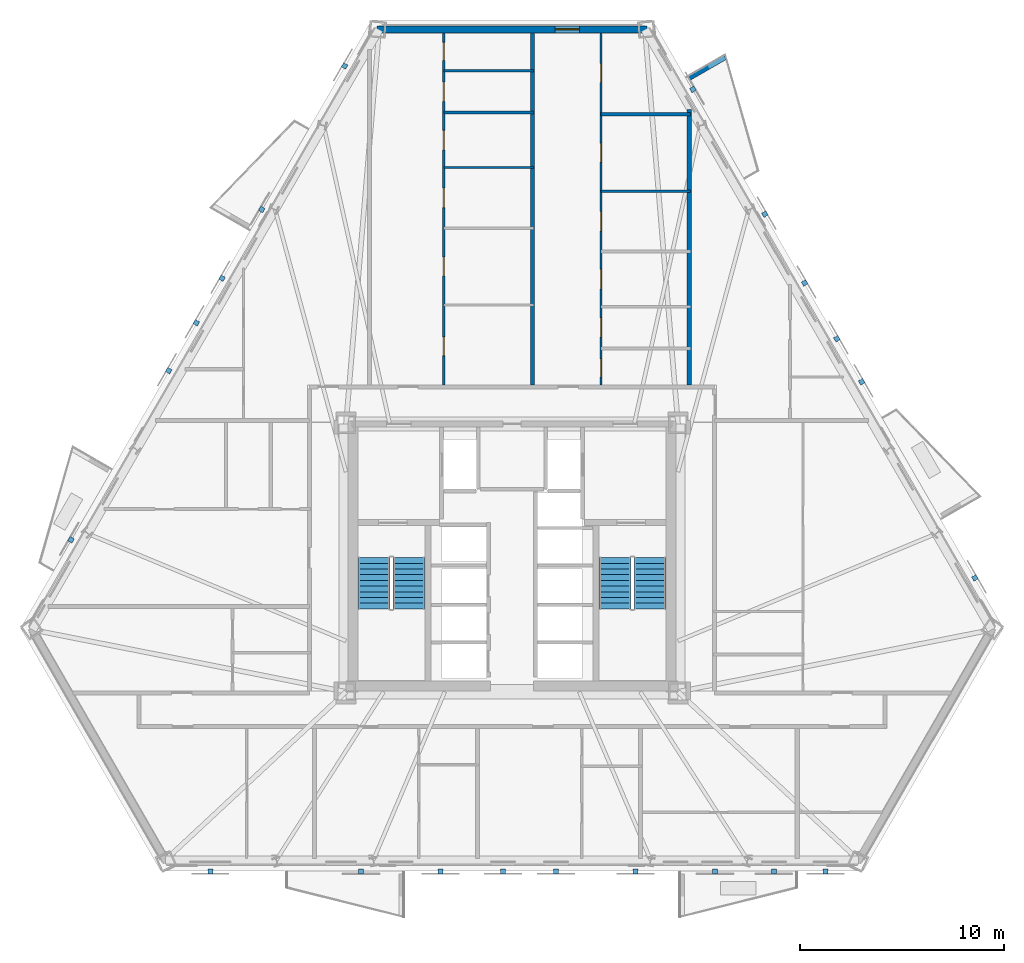
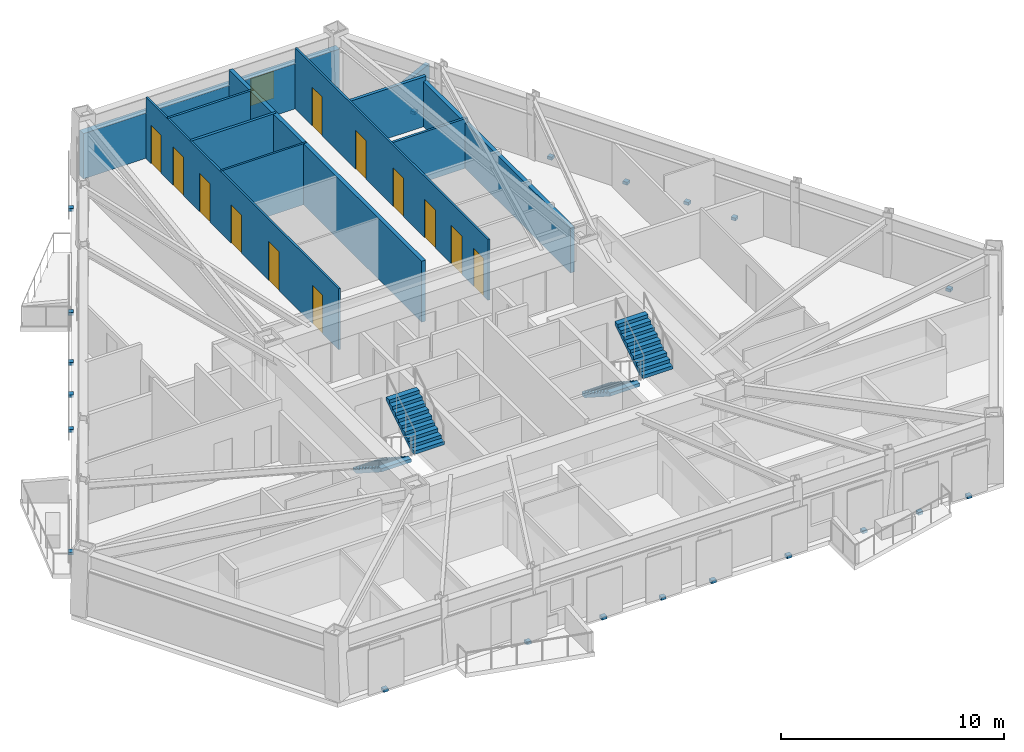
# One storey, part 6 of 10: 21 discrete accessories, 12 doors, 11 walls, 4 stair flights, 1 window, 13 openings, 2 elements without a shape of their own.
"""IFC4 building model written with IfcOpenShell, lengths in metres."""

from ifc_helpers import new_model, si_unit, direction, frame, frame_2d, origin, origin_2d, place, context, subcontext, project, spatial, polyline, rectangle, outline, extrude, material, layer, layer_set, type_object, element, fill, aggregate, save


model = new_model("IFC4")

# Units and contexts
model_context = context("Model", 3, precision=1e-05, world=origin(), true_north=direction((0.0, 1.0)))
body_context = subcontext(model_context, "Body", "Model", "MODEL_VIEW")
ifc_project = project(units=[si_unit("LENGTHUNIT", "METRE"), si_unit("AREAUNIT", "SQUARE_METRE"), si_unit("VOLUMEUNIT", "CUBIC_METRE"), si_unit("PLANEANGLEUNIT", "RADIAN"), si_unit("MASSUNIT", "GRAM", prefix="KILO")], contexts=[model_context])

# Site, building, storey
site_placement = place(None, origin())
site = spatial("IfcSite", under=ifc_project, at=site_placement, CompositionType="ELEMENT")
building_placement = place(site_placement, origin())
building = spatial("IfcBuilding", under=site, at=building_placement, Name="Oramaril Tower", CompositionType="ELEMENT")
storey_placement = place(building_placement, frame((0.0, 0.0, 74.10009765625)))
storey = spatial("IfcBuildingStorey", under=building, at=storey_placement, Name="L19", CompositionType="ELEMENT", Elevation=74.10009765625)

# Wall, opening, window
ifc_material_1 = material(Name="Warm Cream Limestone", Category="masonry")
ifc_layer_1 = layer(ifc_material_1, 0.340087890625)
ifc_layer_set_1 = layer_set([ifc_layer_1], Name="WT-EXT34")
wall_type_1 = type_object("IfcWallType", Name="WT-EXT34", PredefinedType="SOLIDWALL", material=ifc_layer_set_1)
wall_1_placement = place(storey_placement, frame((44.123779296875, 43.518310546875, 0.0), z_axis=(0.0, 0.0, 1.0), x_axis=(-1.0, 0.0, 0.0)))
wall_1 = element("IfcWall", 1, at=wall_1_placement, inside=storey, type_object=wall_type_1, Name="L19 Tower Limestone Facade Wall 5M", PredefinedType="SOLIDWALL", context=body_context, shape_type="SweptSolid", body=[
    extrude(rectangle(XDim=13.24755859375, YDim=0.340087890625, at=frame_2d((6.623779296875, 0.0))), origin(), (0.0, 0.0, 1.0), 2.473876953125),
])
opening_1_placement = place(wall_1_placement, frame((3.31103515625, 0.0, 0.85009765625)))
opening_1 = element("IfcOpeningElement", 2, at=opening_1_placement, cuts=wall_1, Name="Opening WN-09", PredefinedType="OPENING", context=body_context, shape_type="SweptSolid", body=[
    extrude(rectangle(XDim=1.199951171875, YDim=1.47998046875, at=frame_2d((0.60009765625, 0.739990234375))), frame((0.0, 0.169921875, 0.0), z_axis=(0.0, -1.0, 0.0), x_axis=(1.0, 0.0, 0.0)), (0.0, 0.0, 1.0), 0.340087890625),
])
ifc_material_2 = material(Name="Coastal Low-E Insulated Glass", Category="glass")
window_type = type_object("IfcWindowType", Name="WNT-09", PartitioningType="SINGLE_PANEL", PredefinedType="WINDOW", material=ifc_material_2)
window_placement = place(opening_1_placement, origin())
window = element("IfcWindow", 3, at=window_placement, inside=storey, type_object=window_type, Name="L19 Apartment Bedroom Window WN-09", OverallHeight=1.47998046875, OverallWidth=1.199951171875, PartitioningType="SINGLE_PANEL", PredefinedType="WINDOW", context=body_context, shape_type="SweptSolid", body=[
    extrude(rectangle(XDim=1.199951171875, YDim=1.47998046875, at=frame_2d((0.60009765625, 0.739990234375))), frame((0.0, 0.030029296875, 0.0), z_axis=(0.0, -1.0, 0.0), x_axis=(1.0, 0.0, 0.0)), (0.0, 0.0, 1.0), 0.06005859375),
])
fill(opening_1, window)

# Walls
ifc_material_3 = material(Name="Concrete C40/50", Category="concrete")
ifc_layer_2 = layer(ifc_material_3, 0.22998046875)
ifc_layer_set_2 = layer_set([ifc_layer_2], Name="WT-PRP23")
wall_type_2 = type_object("IfcWallType", Name="WT-PRP23", PredefinedType="PARAPET", material=ifc_layer_set_2)
wall_2_placement = place(storey_placement, frame((46.198974609375, 41.1201171875, 0.0), z_axis=(0.0, 0.0, 1.0), x_axis=(0.866012356593, 0.500022597718, 0.0)))
element("IfcWall", 4, at=wall_2_placement, inside=storey, type_object=wall_type_2, Name="L19 Trapezoidal Balcony Frame Cheek L19-BAL-NE2-R", PredefinedType="PARAPET", context=body_context, shape_type="SweptSolid", body=[
    extrude(outline(polyline([(0.0, 0.0), (2.0419921875, 0.0), (2.0419921875, 1.099853515625), (0.0, 1.31982421875), (0.0, 0.0)])), frame((0.0, 0.114990234375, 0.0), z_axis=(0.0, -1.0, 0.0), x_axis=(1.0, 0.0, 0.0)), (0.0, 0.0, 1.0), 0.22998046875),
])
ifc_material_4 = material(Name="Acoustic Gypsum Board Partition")
ifc_layer_3 = layer(ifc_material_4, 0.10009765625)
ifc_layer_set_3 = layer_set([ifc_layer_3], Name="WT-PT10")
wall_type_3 = type_object("IfcWallType", Name="WT-PT10", PredefinedType="PARTITIONING", material=ifc_layer_set_3)
wall_3_placement = place(storey_placement, frame((34.14990234375, 36.72998046875, 0.0), z_axis=(0.0, 0.0, 1.0), x_axis=(1.0, 0.0, 0.0)))
element("IfcWall", 5, at=wall_3_placement, inside=storey, type_object=wall_type_3, Name="L19 Interior Partition PT-10", PredefinedType="PARTITIONING", context=body_context, shape_type="SweptSolid", body=[
    extrude(rectangle(XDim=4.400146484375, YDim=0.10009765625, at=frame_2d((2.2001953125, 0.0))), origin(), (0.0, 0.0, 1.0), 3.33984375),
])

# Wall, openings, doors
wall_4_placement = place(storey_placement, frame((34.14990234375, 26.073974609375, 0.0), z_axis=(0.0, 0.0, 1.0), x_axis=(0.0, 1.0, 0.0)))
wall_4 = element("IfcWall", 6, at=wall_4_placement, inside=storey, type_object=wall_type_3, Name="L19 Interior Partition PT-10", PredefinedType="PARTITIONING", context=body_context, shape_type="SweptSolid", body=[
    extrude(rectangle(XDim=17.2705078125, YDim=0.10009765625, at=frame_2d((8.63525390625, 0.0))), origin(), (0.0, 0.0, 1.0), 3.33984375),
])
opening_2_placement = place(wall_4_placement, frame((1.42919921875, 0.0, 0.0)))
opening_2 = element("IfcOpeningElement", 7, at=opening_2_placement, cuts=wall_4, Name="Opening D-L19-24", PredefinedType="OPENING", context=body_context, shape_type="SweptSolid", body=[
    extrude(rectangle(XDim=0.919921875, YDim=2.1201171875, at=frame_2d((0.4599609375, 1.06005859375))), frame((0.0, 0.050048828125, 0.0), z_axis=(0.0, -1.0, 0.0), x_axis=(1.0, 0.0, 0.0)), (0.0, 0.0, 1.0), 0.10009765625),
])
opening_3_placement = place(wall_4_placement, frame((5.3408203125, 0.0, 0.0)))
opening_3 = element("IfcOpeningElement", 8, at=opening_3_placement, cuts=wall_4, Name="Opening D-L19-25", PredefinedType="OPENING", context=body_context, shape_type="SweptSolid", body=[
    extrude(rectangle(XDim=0.919921875, YDim=2.1201171875, at=frame_2d((0.4599609375, 1.06005859375))), frame((0.0, 0.050048828125, 0.0), z_axis=(0.0, -1.0, 0.0), x_axis=(1.0, 0.0, 0.0)), (0.0, 0.0, 1.0), 0.10009765625),
])
opening_4_placement = place(wall_4_placement, frame((8.697998046875, 0.0, 0.0)))
opening_4 = element("IfcOpeningElement", 9, at=opening_4_placement, cuts=wall_4, Name="Opening D-L19-26", PredefinedType="OPENING", context=body_context, shape_type="SweptSolid", body=[
    extrude(rectangle(XDim=0.949951171875, YDim=2.10009765625, at=frame_2d((0.47509765625, 1.050048828125))), frame((0.0, 0.050048828125, 0.0), z_axis=(0.0, -1.0, 0.0), x_axis=(1.0, 0.0, 0.0)), (0.0, 0.0, 1.0), 0.10009765625),
])
opening_5_placement = place(wall_4_placement, frame((11.530517578125, 0.0, 0.0)))
opening_5 = element("IfcOpeningElement", 10, at=opening_5_placement, cuts=wall_4, Name="Opening D-L19-27", PredefinedType="OPENING", context=body_context, shape_type="SweptSolid", body=[
    extrude(rectangle(XDim=0.949951171875, YDim=2.10009765625, at=frame_2d((0.47509765625, 1.050048828125))), frame((0.0, 0.050048828125, 0.0), z_axis=(0.0, -1.0, 0.0), x_axis=(1.0, 0.0, 0.0)), (0.0, 0.0, 1.0), 0.10009765625),
])
opening_6_placement = place(wall_4_placement, frame((13.904296875, 0.0, 0.0)))
opening_6 = element("IfcOpeningElement", 11, at=opening_6_placement, cuts=wall_4, Name="Opening D-L19-28", PredefinedType="OPENING", context=body_context, shape_type="SweptSolid", body=[
    extrude(rectangle(XDim=0.949951171875, YDim=2.10009765625, at=frame_2d((0.47509765625, 1.050048828125))), frame((0.0, 0.050048828125, 0.0), z_axis=(0.0, -1.0, 0.0), x_axis=(1.0, 0.0, 0.0)), (0.0, 0.0, 1.0), 0.10009765625),
])
opening_7_placement = place(wall_4_placement, frame((15.92431640625, 0.0, 0.0)))
opening_7 = element("IfcOpeningElement", 12, at=opening_7_placement, cuts=wall_4, Name="Opening D-L19-29", PredefinedType="OPENING", context=body_context, shape_type="SweptSolid", body=[
    extrude(rectangle(XDim=0.8798828125, YDim=2.080078125, at=frame_2d((0.43994140625, 1.0400390625))), frame((0.0, 0.050048828125, 0.0), z_axis=(0.0, -1.0, 0.0), x_axis=(1.0, 0.0, 0.0)), (0.0, 0.0, 1.0), 0.10009765625),
])
ifc_material_5 = material(Name="FSC Brazilian Freijo Hardwood", Category="wood")
door_type_1 = type_object("IfcDoorType", Name="DT-BATH", OperationType="NOTDEFINED", PredefinedType="DOOR", material=ifc_material_5)
door_1_placement = place(opening_7_placement, origin())
door_1 = element("IfcDoor", 13, at=door_1_placement, inside=storey, type_object=door_type_1, Name="L19 Flat L19-U10 Bathroom Door D-L19-29", OperationType="SINGLE_SWING_LEFT", OverallHeight=2.080078125, OverallWidth=0.8798828125, PredefinedType="DOOR", context=body_context, shape_type="SweptSolid", body=[
    extrude(rectangle(XDim=0.8798828125, YDim=2.080078125, at=frame_2d((0.43994140625, 1.0400390625))), frame((0.0, 0.02490234375, 0.0), z_axis=(0.0, -1.0, 0.0), x_axis=(1.0, 0.0, 0.0)), (0.0, 0.0, 1.0), 0.050048828125),
])
fill(opening_7, door_1)
ifc_material_6 = material(Name="FSC Brazilian Freijo Hardwood", Category="wood")
door_type_2 = type_object("IfcDoorType", Name="DT-BED", OperationType="NOTDEFINED", PredefinedType="DOOR", material=ifc_material_6)
door_2_placement = place(opening_2_placement, origin())
door_2 = element("IfcDoor", 14, at=door_2_placement, inside=storey, type_object=door_type_2, Name="L19 Flat L19-U10 Master Bedroom Door D-L19-24", OperationType="SINGLE_SWING_RIGHT", OverallHeight=2.1201171875, OverallWidth=0.919921875, PredefinedType="DOOR", context=body_context, shape_type="SweptSolid", body=[
    extrude(rectangle(XDim=0.919921875, YDim=2.1201171875, at=frame_2d((0.4599609375, 1.06005859375))), frame((0.0, 0.02490234375, 0.0), z_axis=(0.0, -1.0, 0.0), x_axis=(1.0, 0.0, 0.0)), (0.0, 0.0, 1.0), 0.050048828125),
])
fill(opening_2, door_2)
door_3_placement = place(opening_3_placement, origin())
door_3 = element("IfcDoor", 15, at=door_3_placement, inside=storey, type_object=door_type_2, Name="L19 Flat L19-U10 Bedroom 2 Door D-L19-25", OperationType="SINGLE_SWING_LEFT", OverallHeight=2.1201171875, OverallWidth=0.919921875, PredefinedType="DOOR", context=body_context, shape_type="SweptSolid", body=[
    extrude(rectangle(XDim=0.919921875, YDim=2.1201171875, at=frame_2d((0.4599609375, 1.06005859375))), frame((0.0, 0.02490234375, 0.0), z_axis=(0.0, -1.0, 0.0), x_axis=(1.0, 0.0, 0.0)), (0.0, 0.0, 1.0), 0.050048828125),
])
fill(opening_3, door_3)
ifc_material_7 = material(Name="FSC Brazilian Freijo Hardwood", Category="wood")
door_type_3 = type_object("IfcDoorType", Name="DT-STDY", OperationType="NOTDEFINED", PredefinedType="DOOR", material=ifc_material_7)
door_4_placement = place(opening_4_placement, origin())
door_4 = element("IfcDoor", 16, at=door_4_placement, inside=storey, type_object=door_type_3, Name="L19 Flat L19-U10 Home Office Door D-L19-26", OperationType="SINGLE_SWING_RIGHT", OverallHeight=2.10009765625, OverallWidth=0.949951171875, PredefinedType="DOOR", context=body_context, shape_type="SweptSolid", body=[
    extrude(rectangle(XDim=0.949951171875, YDim=2.10009765625, at=frame_2d((0.47509765625, 1.050048828125))), frame((0.0, 0.02490234375, 0.0), z_axis=(0.0, -1.0, 0.0), x_axis=(1.0, 0.0, 0.0)), (0.0, 0.0, 1.0), 0.050048828125),
])
fill(opening_4, door_4)
door_5_placement = place(opening_5_placement, origin())
door_5 = element("IfcDoor", 17, at=door_5_placement, inside=storey, type_object=door_type_3, Name="L19 Flat L19-U10 Private Dining Room Door D-L19-27", OperationType="SINGLE_SWING_LEFT", OverallHeight=2.10009765625, OverallWidth=0.949951171875, PredefinedType="DOOR", context=body_context, shape_type="SweptSolid", body=[
    extrude(rectangle(XDim=0.949951171875, YDim=2.10009765625, at=frame_2d((0.47509765625, 1.050048828125))), frame((0.0, 0.02490234375, 0.0), z_axis=(0.0, -1.0, 0.0), x_axis=(1.0, 0.0, 0.0)), (0.0, 0.0, 1.0), 0.050048828125),
])
fill(opening_5, door_5)
door_6_placement = place(opening_6_placement, origin())
door_6 = element("IfcDoor", 18, at=door_6_placement, inside=storey, type_object=door_type_3, Name="L19 Flat L19-U10 Kitchen Door D-L19-28", OperationType="SINGLE_SWING_RIGHT", OverallHeight=2.10009765625, OverallWidth=0.949951171875, PredefinedType="DOOR", context=body_context, shape_type="SweptSolid", body=[
    extrude(rectangle(XDim=0.949951171875, YDim=2.10009765625, at=frame_2d((0.47509765625, 1.050048828125))), frame((0.0, 0.02490234375, 0.0), z_axis=(0.0, -1.0, 0.0), x_axis=(1.0, 0.0, 0.0)), (0.0, 0.0, 1.0), 0.050048828125),
])
fill(opening_6, door_6)

wall_5_placement = place(storey_placement, frame((41.8701171875, 26.073974609375, 0.0), z_axis=(0.0, 0.0, 1.0), x_axis=(0.0, 1.0, 0.0)))
wall_5 = element("IfcWall", 19, at=wall_5_placement, inside=storey, type_object=wall_type_3, Name="L19 Interior Partition PT-10", PredefinedType="PARTITIONING", context=body_context, shape_type="SweptSolid", body=[
    extrude(rectangle(XDim=17.2705078125, YDim=0.10009765625, at=frame_2d((8.63525390625, 0.0))), origin(), (0.0, 0.0, 1.0), 3.33984375),
])
opening_8_placement = place(wall_5_placement, frame((0.385986328125, 0.0, 0.0)))
opening_8 = element("IfcOpeningElement", 20, at=opening_8_placement, cuts=wall_5, Name="Opening D-L19-32", PredefinedType="OPENING", context=body_context, shape_type="SweptSolid", body=[
    extrude(rectangle(XDim=0.8798828125, YDim=2.080078125, at=frame_2d((0.43994140625, 1.0400390625))), frame((0.0, 0.050048828125, 0.0), z_axis=(0.0, -1.0, 0.0), x_axis=(1.0, 0.0, 0.0)), (0.0, 0.0, 1.0), 0.10009765625),
])
opening_9_placement = place(wall_5_placement, frame((2.3359375, 0.0, 0.0)))
opening_9 = element("IfcOpeningElement", 21, at=opening_9_placement, cuts=wall_5, Name="Opening D-L19-33", PredefinedType="OPENING", context=body_context, shape_type="SweptSolid", body=[
    extrude(rectangle(XDim=0.949951171875, YDim=2.10009765625, at=frame_2d((0.47509765625, 1.050048828125))), frame((0.0, 0.050048828125, 0.0), z_axis=(0.0, -1.0, 0.0), x_axis=(1.0, 0.0, 0.0)), (0.0, 0.0, 1.0), 0.10009765625),
])
opening_10_placement = place(wall_5_placement, frame((4.7099609375, 0.0, 0.0)))
opening_10 = element("IfcOpeningElement", 22, at=opening_10_placement, cuts=wall_5, Name="Opening D-L19-34", PredefinedType="OPENING", context=body_context, shape_type="SweptSolid", body=[
    extrude(rectangle(XDim=0.949951171875, YDim=2.10009765625, at=frame_2d((0.47509765625, 1.050048828125))), frame((0.0, 0.050048828125, 0.0), z_axis=(0.0, -1.0, 0.0), x_axis=(1.0, 0.0, 0.0)), (0.0, 0.0, 1.0), 0.10009765625),
])
opening_11_placement = place(wall_5_placement, frame((7.54248046875, 0.0, 0.0)))
opening_11 = element("IfcOpeningElement", 23, at=opening_11_placement, cuts=wall_5, Name="Opening D-L19-35", PredefinedType="OPENING", context=body_context, shape_type="SweptSolid", body=[
    extrude(rectangle(XDim=0.949951171875, YDim=2.10009765625, at=frame_2d((0.47509765625, 1.050048828125))), frame((0.0, 0.050048828125, 0.0), z_axis=(0.0, -1.0, 0.0), x_axis=(1.0, 0.0, 0.0)), (0.0, 0.0, 1.0), 0.10009765625),
])
opening_12_placement = place(wall_5_placement, frame((10.929443359375, 0.0, 0.0)))
opening_12 = element("IfcOpeningElement", 24, at=opening_12_placement, cuts=wall_5, Name="Opening D-L19-36", PredefinedType="OPENING", context=body_context, shape_type="SweptSolid", body=[
    extrude(rectangle(XDim=0.919921875, YDim=2.1201171875, at=frame_2d((0.4599609375, 1.06005859375))), frame((0.0, 0.050048828125, 0.0), z_axis=(0.0, -1.0, 0.0), x_axis=(1.0, 0.0, 0.0)), (0.0, 0.0, 1.0), 0.10009765625),
])
opening_13_placement = place(wall_5_placement, frame((14.84130859375, 0.0, 0.0)))
opening_13 = element("IfcOpeningElement", 25, at=opening_13_placement, cuts=wall_5, Name="Opening D-L19-37", PredefinedType="OPENING", context=body_context, shape_type="SweptSolid", body=[
    extrude(rectangle(XDim=0.919921875, YDim=2.1201171875, at=frame_2d((0.4599609375, 1.06005859375))), frame((0.0, 0.050048828125, 0.0), z_axis=(0.0, -1.0, 0.0), x_axis=(1.0, 0.0, 0.0)), (0.0, 0.0, 1.0), 0.10009765625),
])
door_7_placement = place(opening_8_placement, origin())
door_7 = element("IfcDoor", 26, at=door_7_placement, inside=storey, type_object=door_type_1, Name="L19 Flat L19-U11 Bathroom Door D-L19-32", OperationType="SINGLE_SWING_RIGHT", OverallHeight=2.080078125, OverallWidth=0.8798828125, PredefinedType="DOOR", context=body_context, shape_type="SweptSolid", body=[
    extrude(rectangle(XDim=0.8798828125, YDim=2.080078125, at=frame_2d((0.43994140625, 1.0400390625))), frame((0.0, 0.02490234375, 0.0), z_axis=(0.0, -1.0, 0.0), x_axis=(1.0, 0.0, 0.0)), (0.0, 0.0, 1.0), 0.050048828125),
])
fill(opening_8, door_7)
door_8_placement = place(opening_12_placement, origin())
door_8 = element("IfcDoor", 27, at=door_8_placement, inside=storey, type_object=door_type_2, Name="L19 Flat L19-U11 Bedroom 2 Door D-L19-36", OperationType="SINGLE_SWING_RIGHT", OverallHeight=2.1201171875, OverallWidth=0.919921875, PredefinedType="DOOR", context=body_context, shape_type="SweptSolid", body=[
    extrude(rectangle(XDim=0.919921875, YDim=2.1201171875, at=frame_2d((0.4599609375, 1.06005859375))), frame((0.0, 0.02490234375, 0.0), z_axis=(0.0, -1.0, 0.0), x_axis=(1.0, 0.0, 0.0)), (0.0, 0.0, 1.0), 0.050048828125),
])
fill(opening_12, door_8)
door_9_placement = place(opening_13_placement, origin())
door_9 = element("IfcDoor", 28, at=door_9_placement, inside=storey, type_object=door_type_2, Name="L19 Flat L19-U11 Master Bedroom Door D-L19-37", OperationType="SINGLE_SWING_LEFT", OverallHeight=2.1201171875, OverallWidth=0.919921875, PredefinedType="DOOR", context=body_context, shape_type="SweptSolid", body=[
    extrude(rectangle(XDim=0.919921875, YDim=2.1201171875, at=frame_2d((0.4599609375, 1.06005859375))), frame((0.0, 0.02490234375, 0.0), z_axis=(0.0, -1.0, 0.0), x_axis=(1.0, 0.0, 0.0)), (0.0, 0.0, 1.0), 0.050048828125),
])
fill(opening_13, door_9)
door_10_placement = place(opening_9_placement, origin())
door_10 = element("IfcDoor", 29, at=door_10_placement, inside=storey, type_object=door_type_3, Name="L19 Flat L19-U11 Kitchen Door D-L19-33", OperationType="SINGLE_SWING_LEFT", OverallHeight=2.10009765625, OverallWidth=0.949951171875, PredefinedType="DOOR", context=body_context, shape_type="SweptSolid", body=[
    extrude(rectangle(XDim=0.949951171875, YDim=2.10009765625, at=frame_2d((0.47509765625, 1.050048828125))), frame((0.0, 0.02490234375, 0.0), z_axis=(0.0, -1.0, 0.0), x_axis=(1.0, 0.0, 0.0)), (0.0, 0.0, 1.0), 0.050048828125),
])
fill(opening_9, door_10)
door_11_placement = place(opening_10_placement, origin())
door_11 = element("IfcDoor", 30, at=door_11_placement, inside=storey, type_object=door_type_3, Name="L19 Flat L19-U11 Private Dining Room Door D-L19-34", OperationType="SINGLE_SWING_RIGHT", OverallHeight=2.10009765625, OverallWidth=0.949951171875, PredefinedType="DOOR", context=body_context, shape_type="SweptSolid", body=[
    extrude(rectangle(XDim=0.949951171875, YDim=2.10009765625, at=frame_2d((0.47509765625, 1.050048828125))), frame((0.0, 0.02490234375, 0.0), z_axis=(0.0, -1.0, 0.0), x_axis=(1.0, 0.0, 0.0)), (0.0, 0.0, 1.0), 0.050048828125),
])
fill(opening_10, door_11)
door_12_placement = place(opening_11_placement, origin())
door_12 = element("IfcDoor", 31, at=door_12_placement, inside=storey, type_object=door_type_3, Name="L19 Flat L19-U11 Dining Room Door D-L19-35", OperationType="SINGLE_SWING_LEFT", OverallHeight=2.10009765625, OverallWidth=0.949951171875, PredefinedType="DOOR", context=body_context, shape_type="SweptSolid", body=[
    extrude(rectangle(XDim=0.949951171875, YDim=2.10009765625, at=frame_2d((0.47509765625, 1.050048828125))), frame((0.0, 0.02490234375, 0.0), z_axis=(0.0, -1.0, 0.0), x_axis=(1.0, 0.0, 0.0)), (0.0, 0.0, 1.0), 0.050048828125),
])
fill(opening_11, door_12)

# Walls
ifc_material_8 = material(Name="Acoustic Gypsum Board Partition")
ifc_layer_4 = layer(ifc_material_8, 0.1201171875)
ifc_layer_set_4 = layer_set([ifc_layer_4], Name="WT-PT12")
wall_type_4 = type_object("IfcWallType", Name="WT-PT12", PredefinedType="PARTITIONING", material=ifc_layer_set_4)
wall_6_placement = place(storey_placement, frame((41.8701171875, 35.580078125, 0.0), z_axis=(0.0, 0.0, 1.0), x_axis=(1.0, 0.0, 0.0)))
element("IfcWall", 32, at=wall_6_placement, inside=storey, type_object=wall_type_4, Name="L19 Interior Partition PT-12", PredefinedType="PARTITIONING", context=body_context, shape_type="SweptSolid", body=[
    extrude(rectangle(XDim=4.3798828125, YDim=0.1201171875, at=frame_2d((2.18994140625, 0.0))), origin(), (0.0, 0.0, 1.0), 2.718017578125),
])
wall_7_placement = place(storey_placement, frame((34.14990234375, 41.47998046875, 0.0), z_axis=(0.0, 0.0, 1.0), x_axis=(1.0, 0.0, 0.0)))
element("IfcWall", 33, at=wall_7_placement, inside=storey, type_object=wall_type_4, Name="L19 Interior Partition PT-12", PredefinedType="PARTITIONING", context=body_context, shape_type="SweptSolid", body=[
    extrude(rectangle(XDim=4.400146484375, YDim=0.1201171875, at=frame_2d((2.2001953125, 0.0))), origin(), (0.0, 0.0, 1.0), 3.33984375),
])
ifc_material_9 = material(Name="Acoustic Gypsum Board Partition")
ifc_layer_5 = layer(ifc_material_9, 0.139892578125)
ifc_layer_set_5 = layer_set([ifc_layer_5], Name="WT-PT14")
wall_type_5 = type_object("IfcWallType", Name="WT-PT14", PredefinedType="PARTITIONING", material=ifc_layer_set_5)
wall_8_placement = place(storey_placement, frame((34.14990234375, 39.429931640625, 0.0), z_axis=(0.0, 0.0, 1.0), x_axis=(1.0, 0.0, 0.0)))
element("IfcWall", 34, at=wall_8_placement, inside=storey, type_object=wall_type_5, Name="L19 Interior Partition PT-14", PredefinedType="PARTITIONING", context=body_context, shape_type="SweptSolid", body=[
    extrude(rectangle(XDim=4.400146484375, YDim=0.139892578125, at=frame_2d((2.2001953125, 0.0))), origin(), (0.0, 0.0, 1.0), 3.33984375),
])
ifc_material_10 = material(Name="Acoustic Gypsum Board Partition")
ifc_layer_6 = layer(ifc_material_10, 0.159912109375)
ifc_layer_set_6 = layer_set([ifc_layer_6], Name="WT-PT16")
wall_type_6 = type_object("IfcWallType", Name="WT-PT16", PredefinedType="PARTITIONING", material=ifc_layer_set_6)
wall_9_placement = place(storey_placement, frame((41.8701171875, 39.35009765625, 0.0), z_axis=(0.0, 0.0, 1.0), x_axis=(1.0, 0.0, 0.0)))
element("IfcWall", 35, at=wall_9_placement, inside=storey, type_object=wall_type_6, Name="L19 Interior Partition PT-16", PredefinedType="PARTITIONING", context=body_context, shape_type="SweptSolid", body=[
    extrude(rectangle(XDim=4.3798828125, YDim=0.159912109375, at=frame_2d((2.18994140625, 0.0))), origin(), (0.0, 0.0, 1.0), 2.718017578125),
])
ifc_material_11 = material(Name="Autoclaved Cellular Concrete Block", Category="concrete")
ifc_layer_7 = layer(ifc_material_11, 0.199951171875)
ifc_layer_set_7 = layer_set([ifc_layer_7], Name="WT-PT20")
wall_type_7 = type_object("IfcWallType", Name="WT-PT20", PredefinedType="PARTITIONING", material=ifc_layer_set_7)
wall_10_placement = place(storey_placement, frame((38.5, 26.073974609375, 0.0), z_axis=(0.0, 0.0, 1.0), x_axis=(0.0, 1.0, 0.0)))
element("IfcWall", 36, at=wall_10_placement, inside=storey, type_object=wall_type_7, Name="L19 Interior Partition PT-20", PredefinedType="PARTITIONING", context=body_context, shape_type="SweptSolid", body=[
    extrude(rectangle(XDim=17.2705078125, YDim=0.199951171875, at=frame_2d((8.63525390625, 0.0))), origin(), (0.0, 0.0, 1.0), 3.33984375),
])
wall_11_placement = place(storey_placement, frame((46.199951171875, 26.073974609375, 0.0), z_axis=(0.0, 0.0, 1.0), x_axis=(0.0, 1.0, 0.0)))
element("IfcWall", 37, at=wall_11_placement, inside=storey, type_object=wall_type_7, Name="L19 Interior Partition PT-20", PredefinedType="PARTITIONING", context=body_context, shape_type="SweptSolid", body=[
    extrude(rectangle(XDim=13.500244140625, YDim=0.199951171875, at=frame_2d((6.75, 0.0))), origin(), (0.0, 0.0, 1.0), 2.473876953125),
])

# Stair, stair flights
ifc_material_12 = material(Name="Concrete C50/60", Category="concrete")
stair_type = type_object("IfcStairType", Name="STT-DG-3600", PredefinedType="HALF_TURN_STAIR", material=ifc_material_12)
stair_1_placement = place(storey_placement, origin())
stair_1 = element("IfcStair", 38, at=stair_1_placement, inside=storey, type_object=stair_type, Name="L19 Protected PFP Exit Stair ST-1", PredefinedType="HALF_TURN_STAIR")
ifc_material_13 = material(Name="Concrete C50/60", Category="concrete")
stair_flight_type = type_object("IfcStairFlightType", Name="SFT-DG-3600", PredefinedType="STRAIGHT", material=ifc_material_13)
stair_flight_1_placement = place(storey_placement, frame((30.72998046875, 17.590087890625, 0.0), z_axis=(0.0, 0.0, 1.0), x_axis=(0.0, -1.0, 0.0)))
stair_flight_1 = element("IfcStairFlight", 39, at=stair_flight_1_placement, type_object=stair_flight_type, Name="ST-1 flight 1", NumberOfRisers=10, NumberOfTreads=9, PredefinedType="STRAIGHT", RiserHeight=0.18, TreadLength=0.28, context=body_context, shape_type="SweptSolid", body=[
    extrude(outline(polyline([(0.0, 0.0), (0.0, 0.179931640625), (0.280029296875, 0.179931640625), (0.280029296875, 0.360107421875), (0.56005859375, 0.360107421875), (0.56005859375, 0.5400390625), (0.840087890625, 0.5400390625), (0.840087890625, 0.719970703125), (1.1201171875, 0.719970703125), (1.1201171875, 0.89990234375), (1.39990234375, 0.89990234375), (1.39990234375, 1.080078125), (1.679931640625, 1.080078125), (1.679931640625, 1.260009765625), (1.9599609375, 1.260009765625), (1.9599609375, 1.43994140625), (2.239990234375, 1.43994140625), (2.239990234375, 1.6201171875), (2.52001953125, 1.6201171875), (2.52001953125, 1.800048828125), (2.52001953125, 1.44189453125), (0.277099609375, 0.0), (0.0, 0.0)])), frame((0.0, 0.780029296875, 0.0), z_axis=(0.0, -1.0, 0.0), x_axis=(1.0, 0.0, 0.0)), (0.0, 0.0, 1.0), 1.56005859375),
])
stair_flight_2_placement = place(storey_placement, frame((32.43994140625, 15.070068359375, 1.7998046875), z_axis=(0.0, 0.0, 1.0), x_axis=(0.0, 1.0, 0.0)))
stair_flight_2 = element("IfcStairFlight", 40, at=stair_flight_2_placement, type_object=stair_flight_type, Name="ST-1 flight 2", NumberOfRisers=10, NumberOfTreads=9, PredefinedType="STRAIGHT", RiserHeight=0.18, TreadLength=0.28, context=body_context, shape_type="SweptSolid", body=[
    extrude(outline(polyline([(0.0, 0.0), (0.0, 0.179931640625), (0.280029296875, 0.179931640625), (0.280029296875, 0.360107421875), (0.56005859375, 0.360107421875), (0.56005859375, 0.5400390625), (0.840087890625, 0.5400390625), (0.840087890625, 0.719970703125), (1.1201171875, 0.719970703125), (1.1201171875, 0.89990234375), (1.39990234375, 0.89990234375), (1.39990234375, 1.080078125), (1.679931640625, 1.080078125), (1.679931640625, 1.260009765625), (1.9599609375, 1.260009765625), (1.9599609375, 1.43994140625), (2.239990234375, 1.43994140625), (2.239990234375, 1.6201171875), (2.52001953125, 1.6201171875), (2.52001953125, 1.800048828125), (2.52001953125, 1.44189453125), (0.277099609375, 0.0), (0.0, 0.0)])), frame((0.0, 0.780029296875, 0.0), z_axis=(0.0, -1.0, 0.0), x_axis=(1.0, 0.0, 0.0)), (0.0, 0.0, 1.0), 1.56005859375),
])
aggregate(stair_1, [stair_flight_1, stair_flight_2])

stair_2_placement = place(storey_placement, origin())
stair_2 = element("IfcStair", 41, at=stair_2_placement, inside=storey, type_object=stair_type, Name="L19 Protected PFP Exit Stair ST-2", PredefinedType="HALF_TURN_STAIR")
stair_flight_3_placement = place(storey_placement, frame((42.56005859375, 17.590087890625, 0.0), z_axis=(0.0, 0.0, 1.0), x_axis=(0.0, -1.0, 0.0)))
stair_flight_3 = element("IfcStairFlight", 42, at=stair_flight_3_placement, type_object=stair_flight_type, Name="ST-2 flight 1", NumberOfRisers=10, NumberOfTreads=9, PredefinedType="STRAIGHT", RiserHeight=0.18, TreadLength=0.28, context=body_context, shape_type="SweptSolid", body=[
    extrude(outline(polyline([(0.0, 0.0), (0.0, 0.179931640625), (0.280029296875, 0.179931640625), (0.280029296875, 0.360107421875), (0.56005859375, 0.360107421875), (0.56005859375, 0.5400390625), (0.840087890625, 0.5400390625), (0.840087890625, 0.719970703125), (1.1201171875, 0.719970703125), (1.1201171875, 0.89990234375), (1.39990234375, 0.89990234375), (1.39990234375, 1.080078125), (1.679931640625, 1.080078125), (1.679931640625, 1.260009765625), (1.9599609375, 1.260009765625), (1.9599609375, 1.43994140625), (2.239990234375, 1.43994140625), (2.239990234375, 1.6201171875), (2.52001953125, 1.6201171875), (2.52001953125, 1.800048828125), (2.52001953125, 1.44189453125), (0.277099609375, 0.0), (0.0, 0.0)])), frame((0.0, 0.780029296875, 0.0), z_axis=(0.0, -1.0, 0.0), x_axis=(1.0, 0.0, 0.0)), (0.0, 0.0, 1.0), 1.56005859375),
])
stair_flight_4_placement = place(storey_placement, frame((44.27001953125, 15.070068359375, 1.7998046875), z_axis=(0.0, 0.0, 1.0), x_axis=(0.0, 1.0, 0.0)))
stair_flight_4 = element("IfcStairFlight", 43, at=stair_flight_4_placement, type_object=stair_flight_type, Name="ST-2 flight 2", NumberOfRisers=10, NumberOfTreads=9, PredefinedType="STRAIGHT", RiserHeight=0.18, TreadLength=0.28, context=body_context, shape_type="SweptSolid", body=[
    extrude(outline(polyline([(0.0, 0.0), (0.0, 0.179931640625), (0.280029296875, 0.179931640625), (0.280029296875, 0.360107421875), (0.56005859375, 0.360107421875), (0.56005859375, 0.5400390625), (0.840087890625, 0.5400390625), (0.840087890625, 0.719970703125), (1.1201171875, 0.719970703125), (1.1201171875, 0.89990234375), (1.39990234375, 0.89990234375), (1.39990234375, 1.080078125), (1.679931640625, 1.080078125), (1.679931640625, 1.260009765625), (1.9599609375, 1.260009765625), (1.9599609375, 1.43994140625), (2.239990234375, 1.43994140625), (2.239990234375, 1.6201171875), (2.52001953125, 1.6201171875), (2.52001953125, 1.800048828125), (2.52001953125, 1.44189453125), (0.277099609375, 0.0), (0.0, 0.0)])), frame((0.0, 0.780029296875, 0.0), z_axis=(0.0, -1.0, 0.0), x_axis=(1.0, 0.0, 0.0)), (0.0, 0.0, 1.0), 1.56005859375),
])
aggregate(stair_2, [stair_flight_3, stair_flight_4])

# Discrete accessories
for number, where, z_axis, x_axis, name in (
    (44, (22.69189453125, 2.17431640625, -0.14013671875), (0.0, 0.0, 1.0), (1.0, 0.0, 0.0), "L19 Solar Screen Slab Bracket"),
    (45, (30.089111328125, 2.17431640625, -0.14013671875), (0.0, 0.0, 1.0), (1.0, 0.0, 0.0), "L19 Solar Screen Slab Bracket"),
    (46, (33.9892578125, 2.17431640625, -0.14013671875), (0.0, 0.0, 1.0), (1.0, 0.0, 0.0), "L19 Solar Screen Slab Bracket"),
    (47, (37.0576171875, 2.17431640625, -0.14013671875), (0.0, 0.0, 1.0), (1.0, 0.0, 0.0), "L19 Solar Screen Slab Bracket"),
    (48, (39.662353515625, 2.17431640625, -0.14013671875), (0.0, 0.0, 1.0), (1.0, 0.0, 0.0), "L19 Solar Screen Slab Bracket"),
    (49, (43.5693359375, 2.17431640625, -0.14013671875), (0.0, 0.0, 1.0), (1.0, 0.0, 0.0), "L19 Solar Screen Slab Bracket"),
    (50, (47.46923828125, 2.17431640625, -0.14013671875), (0.0, 0.0, 1.0), (1.0, 0.0, 0.0), "L19 Solar Screen Slab Bracket"),
    (51, (50.35107421875, 2.17431640625, -0.14013671875), (0.0, 0.0, 1.0), (1.0, 0.0, 0.0), "L19 Solar Screen Slab Bracket"),
    (52, (52.884765625, 2.17431640625, -0.14013671875), (0.0, 0.0, 1.0), (1.0, 0.0, 0.0), "L19 Solar Screen Slab Bracket"),
    (53, (60.223388671875, 16.593017578125, -0.14013671875), (0.0, 0.0, 1.0), (-0.5, 0.866025403784, 0.0), "L19 Solar Screen Slab Bracket"),
    (54, (46.37939453125, 40.5712890625, -0.14013671875), (0.0, 0.0, 1.0), (-0.5, 0.866025403784, 0.0), "L19 Solar Screen Slab Bracket"),
    (55, (51.864501953125, 31.071044921875, -0.14013671875), (0.0, 0.0, 1.0), (-0.5, 0.866025403784, 0.0), "L19 Solar Screen Slab Bracket"),
    (56, (49.91455078125, 34.448486328125, -0.14013671875), (0.0, 0.0, 1.0), (-0.5, 0.866025403784, 0.0), "L19 Solar Screen Slab Bracket"),
    (57, (54.66650390625, 26.218017578125, -0.14013671875), (0.0, 0.0, 1.0), (-0.5, 0.866025403784, 0.0), "L19 Solar Screen Slab Bracket"),
    (58, (53.44580078125, 28.33203125, -0.14013671875), (0.0, 0.0, 1.0), (-0.5, 0.866025403784, 0.0), "L19 Solar Screen Slab Bracket"),
    (59, (15.85498046875, 18.4609375, -0.14013671875), (0.0, 0.0, 1.0), (-0.5, -0.866025403784, 0.0), "L19 Solar Screen Slab Bracket"),
    (60, (29.283203125, 41.71923828125, -0.14013671875), (0.0, 0.0, 1.0), (-0.5, -0.866025403784, 0.0), "L19 Solar Screen Slab Bracket"),
    (61, (25.21826171875, 34.678466796875, -0.14013671875), (0.0, 0.0, 1.0), (-0.5, -0.866025403784, 0.0), "L19 Solar Screen Slab Bracket"),
    (62, (23.268310546875, 31.301025390625, -0.14013671875), (0.0, 0.0, 1.0), (-0.5, -0.866025403784, 0.0), "L19 Solar Screen Slab Bracket"),
    (63, (22.00634765625, 29.115234375, -0.14013671875), (0.0, 0.0, 1.0), (-0.5, -0.866025403784, 0.0), "L19 Solar Screen Slab Bracket"),
    (64, (20.650146484375, 26.7666015625, -0.14013671875), (0.0, 0.0, 1.0), (-0.5, -0.866025403784, 0.0), "L19 Solar Screen Slab Bracket"),
):
    element("IfcDiscreteAccessory", number, at=place(storey_placement, frame(where, z_axis=z_axis, x_axis=x_axis)), inside=storey, Name=name, PredefinedType="BRACKET", context=body_context, shape_type="SweptSolid", body=[
        extrude(rectangle(XDim=0.239990234375, YDim=0.239990234375, at=origin_2d()), origin(), (0.0, 0.0, 1.0), 0.159912109375),
    ])

save(model, "model.ifc")
